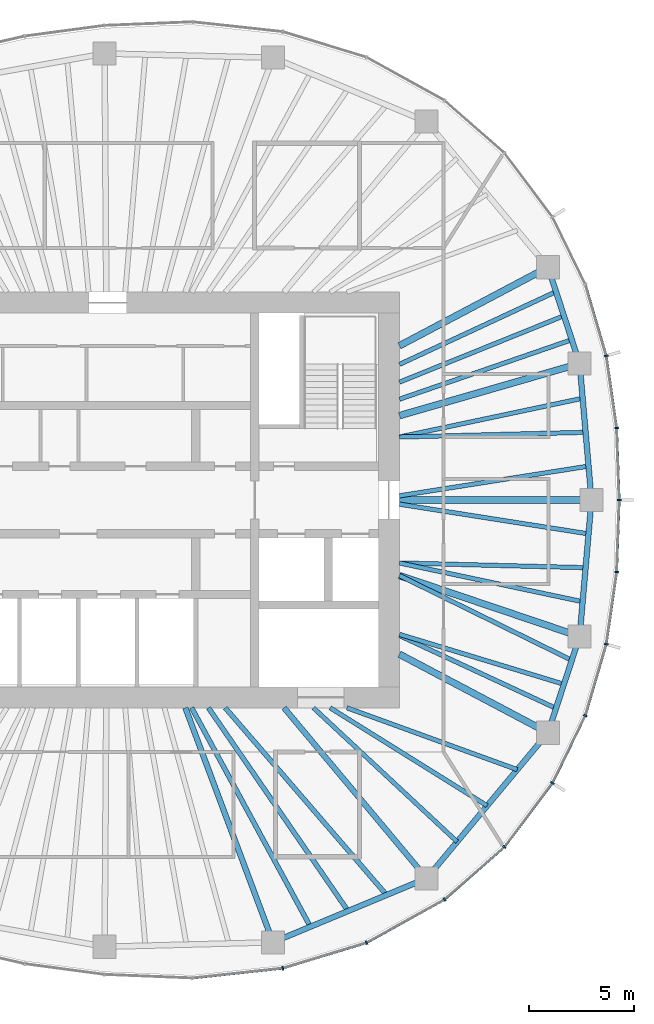
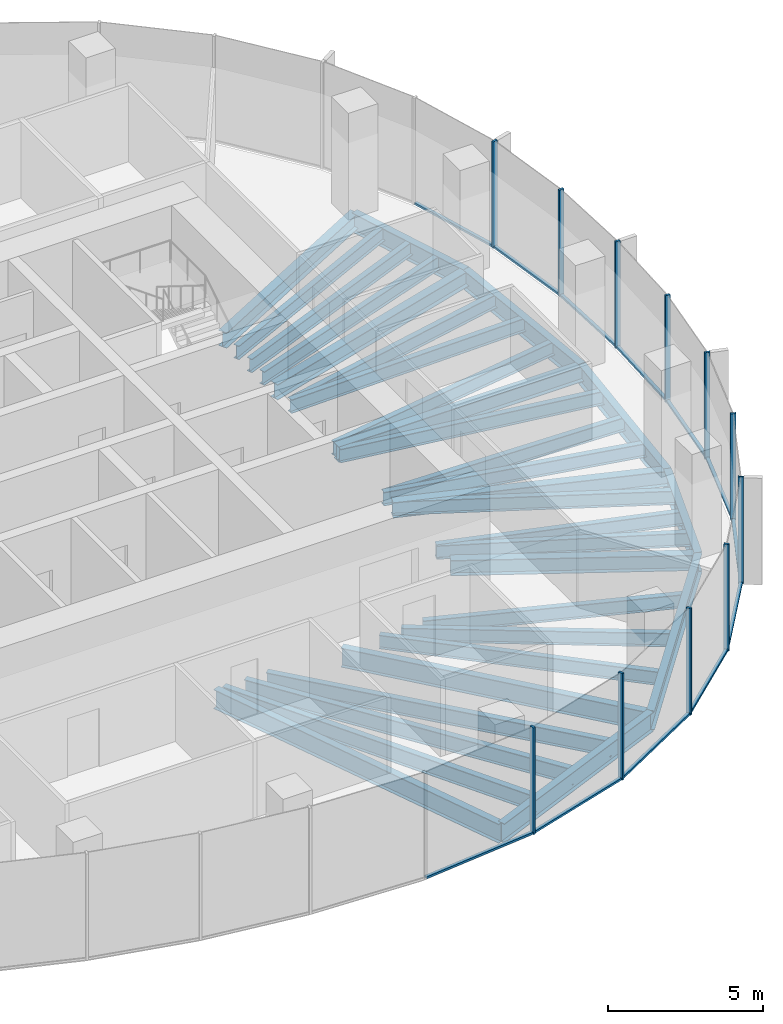
# One storey, part 4 of 12: 31 beams, 23 members, 7 elements without a shape of their own.
"""IFC4 building model written with IfcOpenShell, lengths in metres."""

from ifc_helpers import new_model, si_unit, direction, frame, origin, origin_2d, place, context, subcontext, project, spatial, rectangle, i_section, extrude, material, material_profile, profile_set, type_object, element, aggregate, save


model = new_model("IFC4")

# Units and contexts
model_context = context("Model", 3, precision=1e-05, world=origin(), true_north=direction((0.0, 1.0)))
body_context = subcontext(model_context, "Body", "Model", "MODEL_VIEW")
ifc_project = project(units=[si_unit("LENGTHUNIT", "METRE"), si_unit("AREAUNIT", "SQUARE_METRE"), si_unit("VOLUMEUNIT", "CUBIC_METRE"), si_unit("PLANEANGLEUNIT", "RADIAN"), si_unit("MASSUNIT", "GRAM", prefix="KILO")], contexts=[model_context])

# Site, building, storey
site_placement = place(None, origin())
site = spatial("IfcSite", under=ifc_project, at=site_placement, CompositionType="ELEMENT")
building_placement = place(site_placement, origin())
building = spatial("IfcBuilding", under=site, at=building_placement, Name="Ghaith Harvest Tower", CompositionType="ELEMENT")
storey_placement = place(building_placement, frame((0.0, 0.0, 296.39990234375)))
storey = spatial("IfcBuildingStorey", under=building, at=storey_placement, Name="L66", CompositionType="ELEMENT", Elevation=296.39990234375)

# Curtain wall, members
ifc_material_1 = material(Name="Black anodised aluminium and fritted glass", Category="aluminium")
curtain_wall_type = type_object("IfcCurtainWallType", Name="CW-T CURTAIN WALL", PredefinedType="NOTDEFINED", material=ifc_material_1)
curtain_wall_1_placement = place(storey_placement, origin())
curtain_wall_1 = element("IfcCurtainWall", 1, at=curtain_wall_1_placement, inside=storey, type_object=curtain_wall_type, Name="Curtain wall CW-T bay 01 L66", PredefinedType="NOTDEFINED")
ifc_material_2 = material(Name="Aluminium, black anodised", Category="aluminium")
ifc_material_profile_1 = material_profile(ifc_material_2, rectangle(XDim=0.080078125, YDim=0.179931640625, at=origin_2d()), Name="CW-T MULLION 80x180")
ifc_profile_set_1 = profile_set([ifc_material_profile_1], Name="Aluminium, black anodised")
member_type_1 = type_object("IfcMemberType", Name="CW-T MULLION 80x180", PredefinedType="MULLION", material=ifc_profile_set_1)
member_1_placement = place(storey_placement, frame((24.3701171875, 0.0, 0.0), z_axis=(0.0, 0.0, 1.0), x_axis=(5.2e-11, 1.0, 0.0)))
member_1 = element("IfcMember", 2, at=member_1_placement, type_object=member_type_1, Name="CW-T mullion 1 bay 01 L66", PredefinedType="MULLION", context=body_context, shape_type="SweptSolid", body=[
    extrude(rectangle(XDim=0.080078125, YDim=0.179931640625, at=origin_2d()), origin(), (0.0, 0.0, 1.0), 4.2001953125),
])
member_2_placement = place(storey_placement, frame((24.247802734375, 3.433837890625, 0.0), z_axis=(0.0, 0.0, 1.0), x_axis=(-0.089502202236, 0.995986624305, 0.0)))
member_2 = element("IfcMember", 3, at=member_2_placement, type_object=member_type_1, Name="CW-T mullion 2 bay 01 L66", PredefinedType="MULLION", context=body_context, shape_type="SweptSolid", body=[
    extrude(rectangle(XDim=0.080078125, YDim=0.179931640625, at=origin_2d()), origin(), (0.0, 0.0, 1.0), 4.2001953125),
])

# Curtain wall, member
curtain_wall_2_placement = place(storey_placement, origin())
curtain_wall_2 = element("IfcCurtainWall", 4, at=curtain_wall_2_placement, inside=storey, type_object=curtain_wall_type, Name="Curtain wall CW-T bay 02 L66", PredefinedType="NOTDEFINED")
member_3_placement = place(storey_placement, frame((23.753173828125, 6.865234375, 0.0), z_axis=(0.0, 0.0, 1.0), x_axis=(-0.21340203233, 0.976964468442, 0.0)))
member_3 = element("IfcMember", 5, at=member_3_placement, type_object=member_type_1, Name="CW-T mullion 1 bay 02 L66", PredefinedType="MULLION", context=body_context, shape_type="SweptSolid", body=[
    extrude(rectangle(XDim=0.080078125, YDim=0.179931640625, at=origin_2d()), origin(), (0.0, 0.0, 1.0), 4.2001953125),
])

# Curtain wall, members
curtain_wall_3_placement = place(storey_placement, origin())
curtain_wall_3 = element("IfcCurtainWall", 6, at=curtain_wall_3_placement, inside=storey, type_object=curtain_wall_type, Name="Curtain wall CW-T bay 17 L66", PredefinedType="NOTDEFINED")
member_4_placement = place(storey_placement, frame((8.33984375, -22.308837890625, 0.0), z_axis=(0.0, 0.0, 1.0), x_axis=(0.980000193265, 0.198996535647, 0.0)))
member_4 = element("IfcMember", 7, at=member_4_placement, type_object=member_type_1, Name="CW-T mullion 1 bay 17 L66", PredefinedType="MULLION", context=body_context, shape_type="SweptSolid", body=[
    extrude(rectangle(XDim=0.080078125, YDim=0.179931640625, at=origin_2d()), origin(), (0.0, 0.0, 1.0), 4.2001953125),
])
member_5_placement = place(storey_placement, frame((12.334228515625, -21.091796875, 0.0), z_axis=(0.0, 0.0, 1.0), x_axis=(0.920319269335, 0.391168048914, 0.0)))
member_5 = element("IfcMember", 8, at=member_5_placement, type_object=member_type_1, Name="CW-T mullion 2 bay 17 L66", PredefinedType="MULLION", context=body_context, shape_type="SweptSolid", body=[
    extrude(rectangle(XDim=0.080078125, YDim=0.179931640625, at=origin_2d()), origin(), (0.0, 0.0, 1.0), 4.2001953125),
])

curtain_wall_4_placement = place(storey_placement, origin())
curtain_wall_4 = element("IfcCurtainWall", 9, at=curtain_wall_4_placement, inside=storey, type_object=curtain_wall_type, Name="Curtain wall CW-T bay 18 L66", PredefinedType="NOTDEFINED")
member_6_placement = place(storey_placement, frame((16.04931640625, -19.031982421875, 0.0), z_axis=(0.0, 0.0, 1.0), x_axis=(0.821112053644, 0.570767023715, 0.0)))
member_6 = element("IfcMember", 10, at=member_6_placement, type_object=member_type_1, Name="CW-T mullion 1 bay 18 L66", PredefinedType="MULLION", context=body_context, shape_type="SweptSolid", body=[
    extrude(rectangle(XDim=0.080078125, YDim=0.179931640625, at=origin_2d()), origin(), (0.0, 0.0, 1.0), 4.2001953125),
])
member_7_placement = place(storey_placement, frame((18.901123046875, -16.527099609375, 0.0), z_axis=(0.0, 0.0, 1.0), x_axis=(0.679660897254, 0.733526458108, 0.0)))
member_7 = element("IfcMember", 11, at=member_7_placement, type_object=member_type_1, Name="CW-T mullion 2 bay 18 L66", PredefinedType="MULLION", context=body_context, shape_type="SweptSolid", body=[
    extrude(rectangle(XDim=0.080078125, YDim=0.179931640625, at=origin_2d()), origin(), (0.0, 0.0, 1.0), 4.2001953125),
])

curtain_wall_5_placement = place(storey_placement, origin())
curtain_wall_5 = element("IfcCurtainWall", 12, at=curtain_wall_5_placement, inside=storey, type_object=curtain_wall_type, Name="Curtain wall CW-T bay 19 L66", PredefinedType="NOTDEFINED")
member_8_placement = place(storey_placement, frame((21.18896484375, -13.48486328125, 0.0), z_axis=(0.0, 0.0, 1.0), x_axis=(0.524482238715, 0.85142138878, 0.0)))
member_8 = element("IfcMember", 13, at=member_8_placement, type_object=member_type_1, Name="CW-T mullion 1 bay 19 L66", PredefinedType="MULLION", context=body_context, shape_type="SweptSolid", body=[
    extrude(rectangle(XDim=0.080078125, YDim=0.179931640625, at=origin_2d()), origin(), (0.0, 0.0, 1.0), 4.2001953125),
])
member_9_placement = place(storey_placement, frame((22.754150390625, -10.272216796875, 0.0), z_axis=(0.0, 0.0, 1.0), x_axis=(0.361184273904, 0.932494461262, 0.0)))
member_9 = element("IfcMember", 14, at=member_9_placement, type_object=member_type_1, Name="CW-T mullion 2 bay 19 L66", PredefinedType="MULLION", context=body_context, shape_type="SweptSolid", body=[
    extrude(rectangle(XDim=0.080078125, YDim=0.179931640625, at=origin_2d()), origin(), (0.0, 0.0, 1.0), 4.2001953125),
])

curtain_wall_6_placement = place(storey_placement, origin())
curtain_wall_6 = element("IfcCurtainWall", 15, at=curtain_wall_6_placement, inside=storey, type_object=curtain_wall_type, Name="Curtain wall CW-T bay 20 L66", PredefinedType="NOTDEFINED")
member_10_placement = place(storey_placement, frame((23.753173828125, -6.865234375, 0.0), z_axis=(0.0, 0.0, 1.0), x_axis=(0.213402032501, 0.976964468404, 0.0)))
member_10 = element("IfcMember", 16, at=member_10_placement, type_object=member_type_1, Name="CW-T mullion 1 bay 20 L66", PredefinedType="MULLION", context=body_context, shape_type="SweptSolid", body=[
    extrude(rectangle(XDim=0.080078125, YDim=0.179931640625, at=origin_2d()), origin(), (0.0, 0.0, 1.0), 4.2001953125),
])
member_11_placement = place(storey_placement, frame((24.247802734375, -3.433837890625, 0.0), z_axis=(0.0, 0.0, 1.0), x_axis=(0.089502202305, 0.995986624299, 0.0)))
member_11 = element("IfcMember", 17, at=member_11_placement, type_object=member_type_1, Name="CW-T mullion 2 bay 20 L66", PredefinedType="MULLION", context=body_context, shape_type="SweptSolid", body=[
    extrude(rectangle(XDim=0.080078125, YDim=0.179931640625, at=origin_2d()), origin(), (0.0, 0.0, 1.0), 4.2001953125),
])

# Member
ifc_material_3 = material(Name="Aluminium, black anodised", Category="aluminium")
ifc_material_profile_2 = material_profile(ifc_material_3, rectangle(XDim=0.1201171875, YDim=0.080078125, at=origin_2d()), Name="CW-T TRANSOM 120x80")
ifc_profile_set_2 = profile_set([ifc_material_profile_2], Name="Aluminium, black anodised")
member_type_2 = type_object("IfcMemberType", Name="CW-T TRANSOM 120x80", PredefinedType="USERDEFINED", material=ifc_profile_set_2)
member_12_placement = place(storey_placement, frame((24.36865234375, 0.0400390625, 0.0400390625), z_axis=(-0.035574759537, 0.999367017909, 0.0), x_axis=(-0.999367017909, -0.035574759537, 0.0)))
member_12 = element("IfcMember", 18, at=member_12_placement, type_object=member_type_2, Name="CW-T transom 1 bay 01 L66", ObjectType="TRANSOM", PredefinedType="USERDEFINED", context=body_context, shape_type="SweptSolid", body=[
    extrude(rectangle(XDim=0.1201171875, YDim=0.080078125, at=origin_2d()), origin(), (0.0, 0.0, 1.0), 3.35595703125),
])

member_13_placement = place(storey_placement, frame((24.2421875, 3.473388671875, 0.0400390625), z_axis=(-0.142733224301, 0.989761196795, 0.0), x_axis=(-0.989761196795, -0.142733224301, 0.0)))
member_13 = element("IfcMember", 19, at=member_13_placement, type_object=member_type_2, Name="CW-T transom 2 bay 01 L66", ObjectType="TRANSOM", PredefinedType="USERDEFINED", context=body_context, shape_type="SweptSolid", body=[
    extrude(rectangle(XDim=0.1201171875, YDim=0.080078125, at=origin_2d()), origin(), (0.0, 0.0, 1.0), 3.38671875),
])

aggregate(curtain_wall_1, [member_1, member_12, member_2, member_13])

member_14_placement = place(storey_placement, frame((23.741943359375, 6.903564453125, 0.0400390625), z_axis=(-0.281385475469, 0.95959481772, 0.0), x_axis=(-0.95959481772, -0.281385475469, 0.0)))
member_14 = element("IfcMember", 20, at=member_14_placement, type_object=member_type_2, Name="CW-T transom 1 bay 02 L66", ObjectType="TRANSOM", PredefinedType="USERDEFINED", context=body_context, shape_type="SweptSolid", body=[
    extrude(rectangle(XDim=0.1201171875, YDim=0.080078125, at=origin_2d()), origin(), (0.0, 0.0, 1.0), 3.470458984375),
])

aggregate(curtain_wall_2, [member_3, member_14])

# Curtain wall, member
curtain_wall_7_placement = place(storey_placement, origin())
curtain_wall_7 = element("IfcCurtainWall", 21, at=curtain_wall_7_placement, inside=storey, type_object=curtain_wall_type, Name="Curtain wall CW-T bay 16 L66", PredefinedType="NOTDEFINED")
member_15_placement = place(storey_placement, frame((4.077392578125, -22.772216796875, 0.0400390625), z_axis=(0.994144463069, 0.108059180768, 0.0), x_axis=(-0.108059180768, 0.994144463069, 0.0)))
member_15 = element("IfcMember", 22, at=member_15_placement, type_object=member_type_2, Name="CW-T transom 2 bay 16 L66", ObjectType="TRANSOM", PredefinedType="USERDEFINED", context=body_context, shape_type="SweptSolid", body=[
    extrude(rectangle(XDim=0.1201171875, YDim=0.080078125, at=origin_2d()), origin(), (0.0, 0.0, 1.0), 4.24755859375),
])
aggregate(curtain_wall_7, [member_15])

# Member
member_16_placement = place(storey_placement, frame((8.378173828125, -22.297119140625, 0.0400390625), z_axis=(0.956593713342, 0.291424891858, 0.0), x_axis=(-0.291424891858, 0.956593713342, 0.0)))
member_16 = element("IfcMember", 23, at=member_16_placement, type_object=member_type_2, Name="CW-T transom 1 bay 17 L66", ObjectType="TRANSOM", PredefinedType="USERDEFINED", context=body_context, shape_type="SweptSolid", body=[
    extrude(rectangle(XDim=0.1201171875, YDim=0.080078125, at=origin_2d()), origin(), (0.0, 0.0, 1.0), 4.095703125),
])

member_17_placement = place(storey_placement, frame((12.369384765625, -21.072509765625, 0.0400390625), z_axis=(0.874552130553, 0.484931511603, 0.0), x_axis=(-0.484931511603, 0.874552130553, 0.0)))
member_17 = element("IfcMember", 24, at=member_17_placement, type_object=member_type_2, Name="CW-T transom 2 bay 17 L66", ObjectType="TRANSOM", PredefinedType="USERDEFINED", context=body_context, shape_type="SweptSolid", body=[
    extrude(rectangle(XDim=0.1201171875, YDim=0.080078125, at=origin_2d()), origin(), (0.0, 0.0, 1.0), 4.16748046875),
])

aggregate(curtain_wall_3, [member_4, member_16, member_5, member_17])

member_18_placement = place(storey_placement, frame((16.079345703125, -19.005615234375, 0.0400390625), z_axis=(0.751325799984, 0.659931467865, 0.0), x_axis=(-0.659931467865, 0.751325799984, 0.0)))
member_18 = element("IfcMember", 25, at=member_18_placement, type_object=member_type_2, Name="CW-T transom 1 bay 18 L66", ObjectType="TRANSOM", PredefinedType="USERDEFINED", context=body_context, shape_type="SweptSolid", body=[
    extrude(rectangle(XDim=0.1201171875, YDim=0.080078125, at=origin_2d()), origin(), (0.0, 0.0, 1.0), 3.7158203125),
])

member_19_placement = place(storey_placement, frame((18.925048828125, -16.4951171875, 0.0400390625), z_axis=(0.601079103045, 0.799189534392, 0.0), x_axis=(-0.799189534392, 0.601079103045, 0.0)))
member_19 = element("IfcMember", 26, at=member_19_placement, type_object=member_type_2, Name="CW-T transom 2 bay 18 L66", ObjectType="TRANSOM", PredefinedType="USERDEFINED", context=body_context, shape_type="SweptSolid", body=[
    extrude(rectangle(XDim=0.1201171875, YDim=0.080078125, at=origin_2d()), origin(), (0.0, 0.0, 1.0), 3.7265625),
])

aggregate(curtain_wall_4, [member_6, member_18, member_7, member_19])

member_20_placement = place(storey_placement, frame((21.20654296875, -13.448974609375, 0.0400390625), z_axis=(0.437965078712, 0.898991985408, 0.0), x_axis=(-0.898991985408, 0.437965078712, 0.0)))
member_20 = element("IfcMember", 27, at=member_20_placement, type_object=member_type_2, Name="CW-T transom 1 bay 19 L66", ObjectType="TRANSOM", PredefinedType="USERDEFINED", context=body_context, shape_type="SweptSolid", body=[
    extrude(rectangle(XDim=0.1201171875, YDim=0.080078125, at=origin_2d()), origin(), (0.0, 0.0, 1.0), 3.493408203125),
])

member_21_placement = place(storey_placement, frame((22.765380859375, -10.23388671875, 0.0400390625), z_axis=(0.281385475469, 0.95959481772, 0.0), x_axis=(-0.95959481772, 0.281385475469, 0.0)))
member_21 = element("IfcMember", 28, at=member_21_placement, type_object=member_type_2, Name="CW-T transom 2 bay 19 L66", ObjectType="TRANSOM", PredefinedType="USERDEFINED", context=body_context, shape_type="SweptSolid", body=[
    extrude(rectangle(XDim=0.1201171875, YDim=0.080078125, at=origin_2d()), origin(), (0.0, 0.0, 1.0), 3.470458984375),
])

aggregate(curtain_wall_5, [member_8, member_20, member_9, member_21])

member_22_placement = place(storey_placement, frame((23.7587890625, -6.825439453125, 0.0400390625), z_axis=(0.142733224301, 0.989761196795, 0.0), x_axis=(-0.989761196795, 0.142733224301, 0.0)))
member_22 = element("IfcMember", 29, at=member_22_placement, type_object=member_type_2, Name="CW-T transom 1 bay 20 L66", ObjectType="TRANSOM", PredefinedType="USERDEFINED", context=body_context, shape_type="SweptSolid", body=[
    extrude(rectangle(XDim=0.1201171875, YDim=0.080078125, at=origin_2d()), origin(), (0.0, 0.0, 1.0), 3.38671875),
])

member_23_placement = place(storey_placement, frame((24.249267578125, -3.393798828125, 0.0400390625), z_axis=(0.035574759537, 0.999367017909, 0.0), x_axis=(-0.999367017909, 0.035574759537, 0.0)))
member_23 = element("IfcMember", 30, at=member_23_placement, type_object=member_type_2, Name="CW-T transom 2 bay 20 L66", ObjectType="TRANSOM", PredefinedType="USERDEFINED", context=body_context, shape_type="SweptSolid", body=[
    extrude(rectangle(XDim=0.1201171875, YDim=0.080078125, at=origin_2d()), origin(), (0.0, 0.0, 1.0), 3.35595703125),
])

aggregate(curtain_wall_6, [member_10, member_22, member_11, member_23])

# Beams
ifc_material_4 = material(Name="Steel ASTM A992 Grade 50", Category="steel")
ifc_material_profile_3 = material_profile(ifc_material_4, i_section(OverallWidth=0.26611328125, OverallDepth=0.758056640625, WebThickness=0.013916015625, FlangeThickness=0.019287109375, at=origin_2d()), Name="W760X161")
ifc_profile_set_3 = profile_set([ifc_material_profile_3], Name="Steel ASTM A992 Grade 50")
beam_type_1 = type_object("IfcBeamType", Name="E760-161 W760X161", PredefinedType="SPANDREL", material=ifc_profile_set_3)
beam_1_placement = place(storey_placement, frame((23.050048828125, 0.0, -0.548828125), z_axis=(-0.086600547306, 0.996243115513, 0.0), x_axis=(-0.996243115513, -0.086600547306, 0.0)))
element("IfcBeam", 31, at=beam_1_placement, inside=storey, type_object=beam_type_1, Name="Edge beam E01 L66", PredefinedType="SPANDREL", context=body_context, shape_type="SweptSolid", body=[
    extrude(i_section(OverallWidth=0.26611328125, OverallDepth=0.758056640625, WebThickness=0.013916015625, FlangeThickness=0.019287109375, at=origin_2d()), origin(), (0.0, 0.0, 1.0), 6.5234375),
])
beam_2_placement = place(storey_placement, frame((22.485107421875, 6.4990234375, -0.548828125), z_axis=(-0.312206727278, 0.950014189074, 0.0), x_axis=(-0.950014189074, -0.312206727278, 0.0)))
element("IfcBeam", 32, at=beam_2_placement, inside=storey, type_object=beam_type_1, Name="Edge beam E02 L66", PredefinedType="SPANDREL", context=body_context, shape_type="SweptSolid", body=[
    extrude(i_section(OverallWidth=0.26611328125, OverallDepth=0.758056640625, WebThickness=0.013916015625, FlangeThickness=0.019287109375, at=origin_2d()), origin(), (0.0, 0.0, 1.0), 4.830322265625),
])
beam_3_placement = place(storey_placement, frame((7.8779296875, -21.072021484375, -0.548828125), z_axis=(0.923119729219, 0.384512633766, 0.0), x_axis=(-0.384512633766, 0.923119729219, 0.0)))
element("IfcBeam", 33, at=beam_3_placement, inside=storey, type_object=beam_type_1, Name="Edge beam E17 L66", PredefinedType="SPANDREL", context=body_context, shape_type="SweptSolid", body=[
    extrude(i_section(OverallWidth=0.26611328125, OverallDepth=0.758056640625, WebThickness=0.013916015625, FlangeThickness=0.019287109375, at=origin_2d()), origin(), (0.0, 0.0, 1.0), 7.9296875),
])
beam_4_placement = place(storey_placement, frame((15.197998046875, -18.02294921875, -0.548828125), z_axis=(0.640173759088, 0.76823014662, 0.0), x_axis=(-0.76823014662, 0.640173759088, 0.0)))
element("IfcBeam", 34, at=beam_4_placement, inside=storey, type_object=beam_type_1, Name="Edge beam E18 L66", PredefinedType="SPANDREL", context=body_context, shape_type="SweptSolid", body=[
    extrude(i_section(OverallWidth=0.26611328125, OverallDepth=0.758056640625, WebThickness=0.013916015625, FlangeThickness=0.019287109375, at=origin_2d()), origin(), (0.0, 0.0, 1.0), 9.02734375),
])
beam_5_placement = place(storey_placement, frame((20.97705078125, -11.087890625, -0.548828125), z_axis=(0.312206727278, 0.950014189074, 0.0), x_axis=(-0.950014189074, 0.312206727278, 0.0)))
element("IfcBeam", 35, at=beam_5_placement, inside=storey, type_object=beam_type_1, Name="Edge beam E19 L66", PredefinedType="SPANDREL", context=body_context, shape_type="SweptSolid", body=[
    extrude(i_section(OverallWidth=0.26611328125, OverallDepth=0.758056640625, WebThickness=0.013916015625, FlangeThickness=0.019287109375, at=origin_2d()), origin(), (0.0, 0.0, 1.0), 4.830322265625),
])
beam_6_placement = place(storey_placement, frame((22.485107421875, -6.4990234375, -0.548828125), z_axis=(0.086600547306, 0.996243115513, 0.0), x_axis=(-0.996243115513, 0.086600547306, 0.0)))
element("IfcBeam", 36, at=beam_6_placement, inside=storey, type_object=beam_type_1, Name="Edge beam E20 L66", PredefinedType="SPANDREL", context=body_context, shape_type="SweptSolid", body=[
    extrude(i_section(OverallWidth=0.26611328125, OverallDepth=0.758056640625, WebThickness=0.013916015625, FlangeThickness=0.019287109375, at=origin_2d()), origin(), (0.0, 0.0, 1.0), 6.5234375),
])
ifc_material_5 = material(Name="Steel ASTM A992 Grade 50", Category="steel")
ifc_material_profile_4 = material_profile(ifc_material_5, i_section(OverallWidth=0.323974609375, OverallDepth=0.611083984375, WebThickness=0.0126953125, FlangeThickness=0.01904296875, at=origin_2d()), Name="W610X155")
ifc_profile_set_4 = profile_set([ifc_material_profile_4], Name="Steel ASTM A992 Grade 50")
beam_type_2 = type_object("IfcBeamType", Name="G610-155 W610X155", PredefinedType="BEAM", material=ifc_profile_set_4)
beam_7_placement = place(storey_placement, frame((13.89990234375, 0.0, -0.475341796875), z_axis=(1.0, 0.0, 0.0), x_axis=(0.0, 1.0, 0.0)))
element("IfcBeam", 37, at=beam_7_placement, inside=storey, type_object=beam_type_2, Name="Radial girder G01 L66", PredefinedType="BEAM", context=body_context, shape_type="SweptSolid", body=[
    extrude(i_section(OverallWidth=0.323974609375, OverallDepth=0.611083984375, WebThickness=0.0126953125, FlangeThickness=0.01904296875, at=origin_2d()), origin(), (0.0, 0.0, 1.0), 9.150146484375),
])
beam_8_placement = place(storey_placement, frame((13.89990234375, 4.017333984375, -0.475341796875), z_axis=(0.960668846071, 0.27769653975, 0.0), x_axis=(-0.27769653975, 0.960668846071, 0.0)))
element("IfcBeam", 38, at=beam_8_placement, inside=storey, type_object=beam_type_2, Name="Radial girder G02 L66", PredefinedType="BEAM", context=body_context, shape_type="SweptSolid", body=[
    extrude(i_section(OverallWidth=0.323974609375, OverallDepth=0.611083984375, WebThickness=0.0126953125, FlangeThickness=0.01904296875, at=origin_2d()), origin(), (0.0, 0.0, 1.0), 8.936767578125),
])
for number, where, z_axis, x_axis, name in (
    (39, (13.89990234375, 7.34716796875, -0.475341796875), (0.884097820364, 0.467301876764, 0.0), (-0.467301876764, 0.884097820364, 0.0), "Radial girder G03 L66"),
    (40, (13.89990234375, -7.34716796875, -0.475341796875), (0.884097820364, -0.467301876764, 0.0), (0.467301876764, 0.884097820364, 0.0), "Radial girder G19 L66"),
):
    element("IfcBeam", number, at=place(storey_placement, frame(where, z_axis=z_axis, x_axis=x_axis)), inside=storey, type_object=beam_type_2, Name=name, PredefinedType="BEAM", context=body_context, shape_type="SweptSolid", body=[
        extrude(i_section(OverallWidth=0.323974609375, OverallDepth=0.611083984375, WebThickness=0.0126953125, FlangeThickness=0.01904296875, at=origin_2d()), origin(), (0.0, 0.0, 1.0), 8.0048828125),
    ])
beam_9_placement = place(storey_placement, frame((13.89990234375, -3.60009765625, -0.475341796875), z_axis=(0.947444819082, -0.319919231673, 0.0), x_axis=(0.319919231673, 0.947444819082, 0.0)))
element("IfcBeam", 41, at=beam_9_placement, inside=storey, type_object=beam_type_2, Name="Radial girder G20 L66", PredefinedType="BEAM", context=body_context, shape_type="SweptSolid", body=[
    extrude(i_section(OverallWidth=0.323974609375, OverallDepth=0.611083984375, WebThickness=0.0126953125, FlangeThickness=0.01904296875, at=origin_2d()), origin(), (0.0, 0.0, 1.0), 9.0615234375),
])
ifc_material_6 = material(Name="Steel ASTM A992 Grade 50", Category="steel")
ifc_material_profile_5 = material_profile(ifc_material_6, i_section(OverallWidth=0.26611328125, OverallDepth=0.758056640625, WebThickness=0.013916015625, FlangeThickness=0.019287109375, at=origin_2d()), Name="W760X161")
ifc_profile_set_5 = profile_set([ifc_material_profile_5], Name="Steel ASTM A992 Grade 50")
beam_type_3 = type_object("IfcBeamType", Name="G760-161 W760X161", PredefinedType="BEAM", material=ifc_profile_set_5)
beam_10_placement = place(storey_placement, frame((3.700927734375, -9.89990234375, -0.548828125), z_axis=(0.350201332531, -0.936674450753, 0.0), x_axis=(0.936674450753, 0.350201332531, 0.0)))
element("IfcBeam", 42, at=beam_10_placement, inside=storey, type_object=beam_type_3, Name="Radial girder G17 L66", PredefinedType="BEAM", context=body_context, shape_type="SweptSolid", body=[
    extrude(i_section(OverallWidth=0.26611328125, OverallDepth=0.758056640625, WebThickness=0.013916015625, FlangeThickness=0.019287109375, at=origin_2d()), origin(), (0.0, 0.0, 1.0), 11.927490234375),
])
beam_11_placement = place(storey_placement, frame((8.39990234375, -9.89990234375, -0.548828125), z_axis=(0.641792628883, -0.766878231215, 0.0), x_axis=(0.766878231215, 0.641792628883, 0.0)))
element("IfcBeam", 43, at=beam_11_placement, inside=storey, type_object=beam_type_3, Name="Radial girder G18 L66", PredefinedType="BEAM", context=body_context, shape_type="SweptSolid", body=[
    extrude(i_section(OverallWidth=0.26611328125, OverallDepth=0.758056640625, WebThickness=0.013916015625, FlangeThickness=0.019287109375, at=origin_2d()), origin(), (0.0, 0.0, 1.0), 10.59228515625),
])
ifc_material_7 = material(Name="Steel ASTM A992 Grade 50", Category="steel")
ifc_material_profile_6 = material_profile(ifc_material_7, i_section(OverallWidth=0.2109375, OverallDepth=0.5390625, WebThickness=0.01171875, FlangeThickness=0.018798828125, at=origin_2d()), Name="W530X109")
ifc_profile_set_6 = profile_set([ifc_material_profile_6], Name="Steel ASTM A992 Grade 50")
beam_type_4 = type_object("IfcBeamType", Name="J530-109 W530X109", PredefinedType="JOIST", material=ifc_profile_set_6)
beam_12_placement = place(storey_placement, frame((13.89990234375, 0.199951171875, -0.439453125), z_axis=(0.987906665526, 0.155049734628, 0.0), x_axis=(-0.155049734628, 0.987906665526, 0.0)))
element("IfcBeam", 44, at=beam_12_placement, inside=storey, type_object=beam_type_4, Name="Joist J01.1 L66", PredefinedType="JOIST", context=body_context, shape_type="SweptSolid", body=[
    extrude(i_section(OverallWidth=0.2109375, OverallDepth=0.5390625, WebThickness=0.01171875, FlangeThickness=0.018798828125, at=origin_2d()), origin(), (0.0, 0.0, 1.0), 9.1201171875),
])
beam_13_placement = place(storey_placement, frame((13.89990234375, 3.0, -0.439453125), z_axis=(0.999679533859, 0.025314612071, 0.0), x_axis=(-0.025314612071, 0.999679533859, 0.0)))
element("IfcBeam", 45, at=beam_13_placement, inside=storey, type_object=beam_type_4, Name="Joist J01.2 L66", PredefinedType="JOIST", context=body_context, shape_type="SweptSolid", body=[
    extrude(i_section(OverallWidth=0.2109375, OverallDepth=0.5390625, WebThickness=0.01171875, FlangeThickness=0.018798828125, at=origin_2d()), origin(), (0.0, 0.0, 1.0), 8.872802734375),
])
beam_14_placement = place(storey_placement, frame((13.89990234375, 3.0, -0.439453125), z_axis=(0.97833382446, 0.207033639579, 0.0), x_axis=(-0.207033639579, 0.97833382446, 0.0)))
element("IfcBeam", 46, at=beam_14_placement, inside=storey, type_object=beam_type_4, Name="Joist J01.3 L66", PredefinedType="JOIST", context=body_context, shape_type="SweptSolid", body=[
    extrude(i_section(OverallWidth=0.2109375, OverallDepth=0.5390625, WebThickness=0.01171875, FlangeThickness=0.018798828125, at=origin_2d()), origin(), (0.0, 0.0, 1.0), 8.922119140625),
])
beam_15_placement = place(storey_placement, frame((13.89990234375, 4.801025390625, -0.439453125), z_axis=(0.945204712775, 0.326478254937, 0.0), x_axis=(-0.326478254937, 0.945204712775, 0.0)))
element("IfcBeam", 47, at=beam_15_placement, inside=storey, type_object=beam_type_4, Name="Joist J02.1 L66", PredefinedType="JOIST", context=body_context, shape_type="SweptSolid", body=[
    extrude(i_section(OverallWidth=0.2109375, OverallDepth=0.5390625, WebThickness=0.01171875, FlangeThickness=0.018798828125, at=origin_2d()), origin(), (0.0, 0.0, 1.0), 8.687255859375),
])
beam_16_placement = place(storey_placement, frame((13.89990234375, 5.61328125, -0.439453125), z_axis=(0.927254375113, 0.374432001615, 0.0), x_axis=(-0.374432001615, 0.927254375113, 0.0)))
element("IfcBeam", 48, at=beam_16_placement, inside=storey, type_object=beam_type_4, Name="Joist J02.2 L66", PredefinedType="JOIST", context=body_context, shape_type="SweptSolid", body=[
    extrude(i_section(OverallWidth=0.2109375, OverallDepth=0.5390625, WebThickness=0.01171875, FlangeThickness=0.018798828125, at=origin_2d()), origin(), (0.0, 0.0, 1.0), 8.450927734375),
])
beam_17_placement = place(storey_placement, frame((13.89990234375, 6.45947265625, -0.439453125), z_axis=(0.906859906661, 0.42143221245, 0.0), x_axis=(-0.42143221245, 0.906859906661, 0.0)))
element("IfcBeam", 49, at=beam_17_placement, inside=storey, type_object=beam_type_4, Name="Joist J02.3 L66", PredefinedType="JOIST", context=body_context, shape_type="SweptSolid", body=[
    extrude(i_section(OverallWidth=0.2109375, OverallDepth=0.5390625, WebThickness=0.01171875, FlangeThickness=0.018798828125, at=origin_2d()), origin(), (0.0, 0.0, 1.0), 8.22509765625),
])
beam_18_placement = place(storey_placement, frame((9.800048828125, -9.89990234375, -0.439453125), z_axis=(0.73164904944, -0.681681500742, 0.0), x_axis=(0.681681500742, 0.73164904944, 0.0)))
element("IfcBeam", 50, at=beam_18_placement, inside=storey, type_object=beam_type_4, Name="Joist J18.1 L66", PredefinedType="JOIST", context=body_context, shape_type="SweptSolid", body=[
    extrude(i_section(OverallWidth=0.2109375, OverallDepth=0.5390625, WebThickness=0.01171875, FlangeThickness=0.018798828125, at=origin_2d()), origin(), (0.0, 0.0, 1.0), 9.361572265625),
])
beam_19_placement = place(storey_placement, frame((10.60009765625, -9.89990234375, -0.439453125), z_axis=(0.84837619421, -0.52939383553, 0.0), x_axis=(0.52939383553, 0.84837619421, 0.0)))
element("IfcBeam", 51, at=beam_19_placement, inside=storey, type_object=beam_type_4, Name="Joist J18.2 L66", PredefinedType="JOIST", context=body_context, shape_type="SweptSolid", body=[
    extrude(i_section(OverallWidth=0.2109375, OverallDepth=0.5390625, WebThickness=0.01171875, FlangeThickness=0.018798828125, at=origin_2d()), origin(), (0.0, 0.0, 1.0), 8.814697265625),
])
beam_20_placement = place(storey_placement, frame((11.39990234375, -9.89990234375, -0.439453125), z_axis=(0.939925501564, -0.341379629605, 0.0), x_axis=(0.341379629605, 0.939925501564, 0.0)))
element("IfcBeam", 52, at=beam_20_placement, inside=storey, type_object=beam_type_4, Name="Joist J18.3 L66", PredefinedType="JOIST", context=body_context, shape_type="SweptSolid", body=[
    extrude(i_section(OverallWidth=0.2109375, OverallDepth=0.5390625, WebThickness=0.01171875, FlangeThickness=0.018798828125, at=origin_2d()), origin(), (0.0, 0.0, 1.0), 8.630615234375),
])
beam_21_placement = place(storey_placement, frame((13.89990234375, -6.45947265625, -0.439453125), z_axis=(0.906859906661, -0.42143221245, 0.0), x_axis=(0.42143221245, 0.906859906661, 0.0)))
element("IfcBeam", 53, at=beam_21_placement, inside=storey, type_object=beam_type_4, Name="Joist J19.1 L66", PredefinedType="JOIST", context=body_context, shape_type="SweptSolid", body=[
    extrude(i_section(OverallWidth=0.2109375, OverallDepth=0.5390625, WebThickness=0.01171875, FlangeThickness=0.018798828125, at=origin_2d()), origin(), (0.0, 0.0, 1.0), 8.22509765625),
])
beam_22_placement = place(storey_placement, frame((13.89990234375, -6.39990234375, -0.439453125), z_axis=(0.9569197823, -0.290352424208, 0.0), x_axis=(0.290352424208, 0.9569197823, 0.0)))
element("IfcBeam", 54, at=beam_22_placement, inside=storey, type_object=beam_type_4, Name="Joist J19.2 L66", PredefinedType="JOIST", context=body_context, shape_type="SweptSolid", body=[
    extrude(i_section(OverallWidth=0.2109375, OverallDepth=0.5390625, WebThickness=0.01171875, FlangeThickness=0.018798828125, at=origin_2d()), origin(), (0.0, 0.0, 1.0), 8.18896484375),
])
beam_23_placement = place(storey_placement, frame((13.89990234375, -3.60009765625, -0.439453125), z_axis=(0.89740088778, -0.441216099674, 0.0), x_axis=(0.441216099674, 0.89740088778, 0.0)))
element("IfcBeam", 55, at=beam_23_placement, inside=storey, type_object=beam_type_4, Name="Joist J19.3 L66", PredefinedType="JOIST", context=body_context, shape_type="SweptSolid", body=[
    extrude(i_section(OverallWidth=0.2109375, OverallDepth=0.5390625, WebThickness=0.01171875, FlangeThickness=0.018798828125, at=origin_2d()), origin(), (0.0, 0.0, 1.0), 9.14990234375),
])
beam_24_placement = place(storey_placement, frame((13.89990234375, -3.0, -0.439453125), z_axis=(0.97833382446, -0.207033639579, 0.0), x_axis=(0.207033639579, 0.97833382446, 0.0)))
element("IfcBeam", 56, at=beam_24_placement, inside=storey, type_object=beam_type_4, Name="Joist J20.1 L66", PredefinedType="JOIST", context=body_context, shape_type="SweptSolid", body=[
    extrude(i_section(OverallWidth=0.2109375, OverallDepth=0.5390625, WebThickness=0.01171875, FlangeThickness=0.018798828125, at=origin_2d()), origin(), (0.0, 0.0, 1.0), 8.922119140625),
])
beam_25_placement = place(storey_placement, frame((13.89990234375, -3.0, -0.439453125), z_axis=(0.999679533859, -0.025314612071, 0.0), x_axis=(0.025314612071, 0.999679533859, 0.0)))
element("IfcBeam", 57, at=beam_25_placement, inside=storey, type_object=beam_type_4, Name="Joist J20.2 L66", PredefinedType="JOIST", context=body_context, shape_type="SweptSolid", body=[
    extrude(i_section(OverallWidth=0.2109375, OverallDepth=0.5390625, WebThickness=0.01171875, FlangeThickness=0.018798828125, at=origin_2d()), origin(), (0.0, 0.0, 1.0), 8.872802734375),
])
beam_26_placement = place(storey_placement, frame((13.89990234375, -0.199951171875, -0.439453125), z_axis=(0.987906665526, -0.155049734628, 0.0), x_axis=(0.155049734628, 0.987906665526, 0.0)))
element("IfcBeam", 58, at=beam_26_placement, inside=storey, type_object=beam_type_4, Name="Joist J20.3 L66", PredefinedType="JOIST", context=body_context, shape_type="SweptSolid", body=[
    extrude(i_section(OverallWidth=0.2109375, OverallDepth=0.5390625, WebThickness=0.01171875, FlangeThickness=0.018798828125, at=origin_2d()), origin(), (0.0, 0.0, 1.0), 9.1201171875),
])
ifc_material_8 = material(Name="Steel ASTM A992 Grade 50", Category="steel")
ifc_material_profile_7 = material_profile(ifc_material_8, i_section(OverallWidth=0.22998046875, OverallDepth=0.616943359375, WebThickness=0.01318359375, FlangeThickness=0.022216796875, at=origin_2d()), Name="W610X140")
ifc_profile_set_7 = profile_set([ifc_material_profile_7], Name="Steel ASTM A992 Grade 50")
beam_type_5 = type_object("IfcBeamType", Name="J610-140 W610X140", PredefinedType="JOIST", material=ifc_profile_set_7)
beam_27_placement = place(storey_placement, frame((4.0, -9.89990234375, -0.478515625), z_axis=(0.476764926531, -0.879030832696, 0.0), x_axis=(0.879030832696, 0.476764926531, 0.0)))
element("IfcBeam", 59, at=beam_27_placement, inside=storey, type_object=beam_type_5, Name="Joist J17.1 L66", PredefinedType="JOIST", context=body_context, shape_type="SweptSolid", body=[
    extrude(i_section(OverallWidth=0.22998046875, OverallDepth=0.616943359375, WebThickness=0.01318359375, FlangeThickness=0.022216796875, at=origin_2d()), origin(), (0.0, 0.0, 1.0), 11.866455078125),
])
beam_28_placement = place(storey_placement, frame((4.800048828125, -9.89990234375, -0.478515625), z_axis=(0.566228035119, -0.824248634967, 0.0), x_axis=(0.824248634967, 0.566228035119, 0.0)))
element("IfcBeam", 60, at=beam_28_placement, inside=storey, type_object=beam_type_5, Name="Joist J17.2 L66", PredefinedType="JOIST", context=body_context, shape_type="SweptSolid", body=[
    extrude(i_section(OverallWidth=0.22998046875, OverallDepth=0.616943359375, WebThickness=0.01318359375, FlangeThickness=0.022216796875, at=origin_2d()), origin(), (0.0, 0.0, 1.0), 11.748046875),
])
beam_29_placement = place(storey_placement, frame((5.60009765625, -9.89990234375, -0.478515625), z_axis=(0.652992938501, -0.757363995888, 0.0), x_axis=(0.757363995888, 0.652992938501, 0.0)))
element("IfcBeam", 61, at=beam_29_placement, inside=storey, type_object=beam_type_5, Name="Joist J17.3 L66", PredefinedType="JOIST", context=body_context, shape_type="SweptSolid", body=[
    extrude(i_section(OverallWidth=0.22998046875, OverallDepth=0.616943359375, WebThickness=0.01318359375, FlangeThickness=0.022216796875, at=origin_2d()), origin(), (0.0, 0.0, 1.0), 11.775390625),
])

save(model, "model.ifc")
